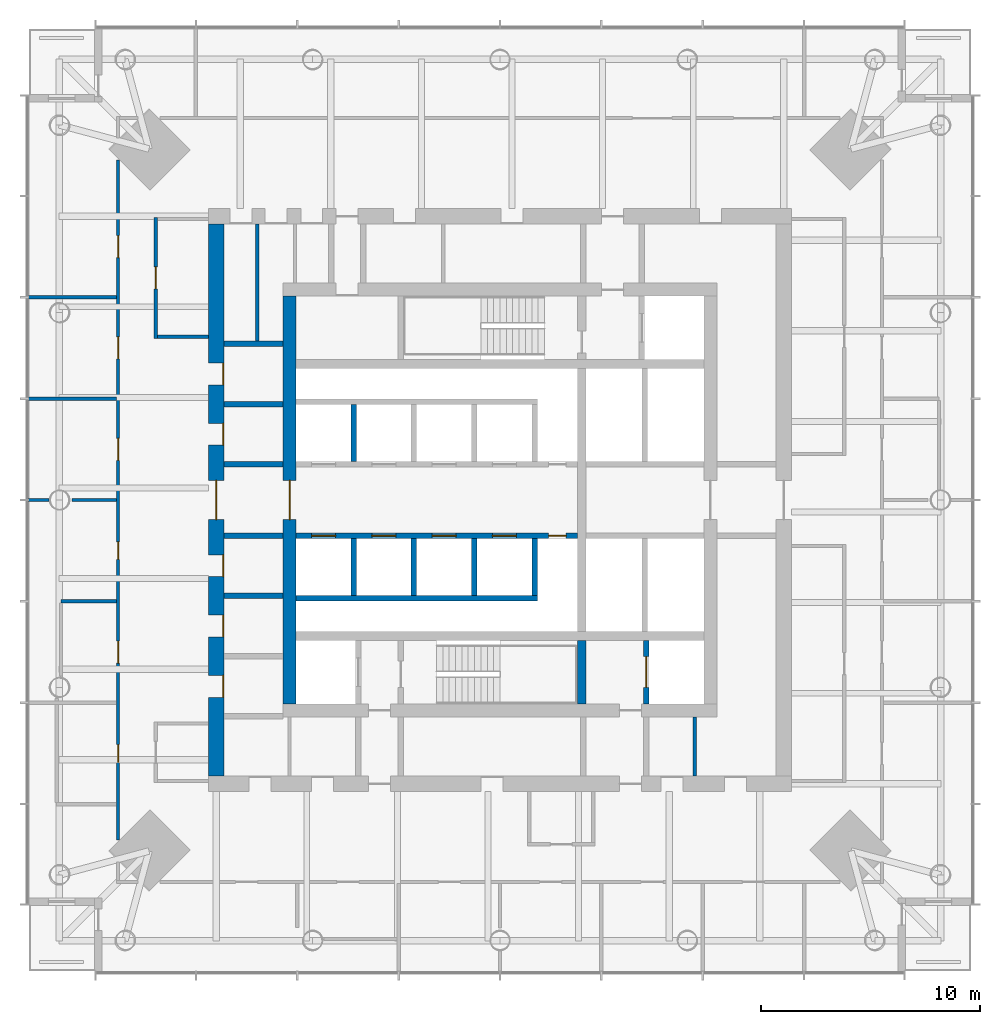
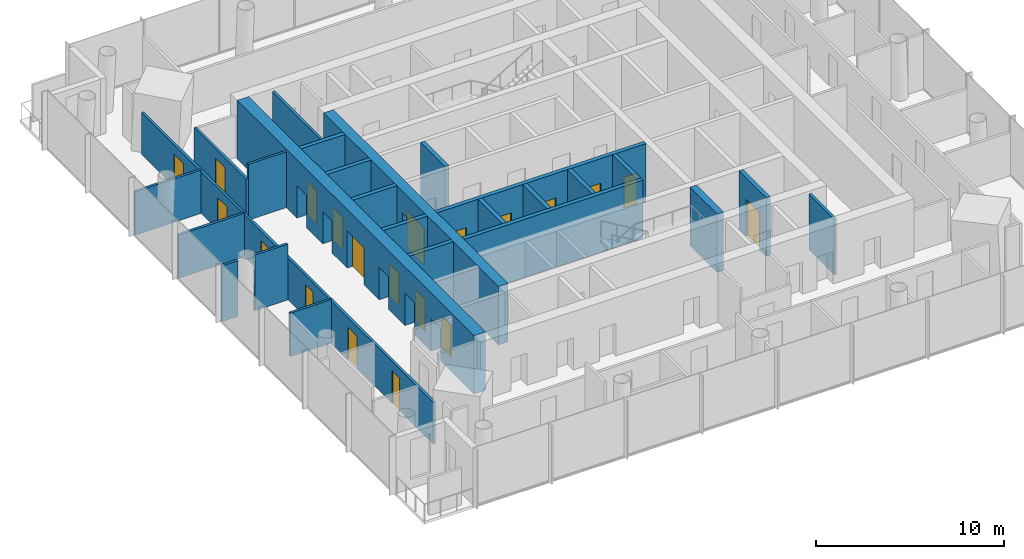
# One storey, part 5 of 9: 26 walls, 20 doors, 20 openings.
"""IFC4 building model written with IfcOpenShell, lengths in metres."""

from ifc_helpers import new_model, si_unit, direction, frame, frame_2d, origin, place, context, subcontext, project, spatial, rectangle, extrude, material, layer, layer_set, type_object, element, fill, save


model = new_model("IFC4")

# Units and contexts
model_context = context("Model", 3, precision=1e-05, world=origin(), true_north=direction((0.0, 1.0)))
body_context = subcontext(model_context, "Body", "Model", "MODEL_VIEW")
ifc_project = project(units=[si_unit("LENGTHUNIT", "METRE"), si_unit("AREAUNIT", "SQUARE_METRE"), si_unit("VOLUMEUNIT", "CUBIC_METRE"), si_unit("PLANEANGLEUNIT", "RADIAN"), si_unit("MASSUNIT", "GRAM", prefix="KILO")], contexts=[model_context])

# Site, building, storey
site_placement = place(None, origin())
site = spatial("IfcSite", under=ifc_project, at=site_placement, CompositionType="ELEMENT")
building_placement = place(site_placement, origin())
building = spatial("IfcBuilding", under=site, at=building_placement, Name="Ostroluk Exchange", CompositionType="ELEMENT")
storey_placement = place(building_placement, frame((0.0, 0.0, 142.60009765625)))
storey = spatial("IfcBuildingStorey", under=building, at=storey_placement, Name="L36", CompositionType="ELEMENT", Elevation=142.60009765625)

# Walls
ifc_material_1 = material(Name="Concrete blockwork", Category="masonry")
ifc_layer_1 = layer(ifc_material_1, 0.14990234375)
ifc_layer_set_1 = layer_set([ifc_layer_1], Name="Blockwork plant room wall 150")
wall_type_1 = type_object("IfcWallType", Name="Blockwork plant room wall 150", PredefinedType="SOLIDWALL", material=ifc_layer_set_1)
wall_1_placement = place(storey_placement, frame((33.927978515625, 53.25, 0.0), z_axis=(0.0, 0.0, 1.0), x_axis=(0.0, 1.0, 0.0)))
element("IfcWall", 1, at=wall_1_placement, inside=storey, type_object=wall_type_1, Name="Core room wall", PredefinedType="SOLIDWALL", context=body_context, shape_type="SweptSolid", body=[
    extrude(rectangle(XDim=5.35009765625, YDim=0.14990234375, at=frame_2d((2.675048828125, 0.0))), origin(), (0.0, 0.0, 1.0), 3.619873046875),
])
wall_2_placement = place(storey_placement, frame((53.887939453125, 33.39990234375, 0.0), z_axis=(0.0, 0.0, 1.0), x_axis=(0.0, 1.0, 0.0)))
element("IfcWall", 2, at=wall_2_placement, inside=storey, type_object=wall_type_1, Name="Core room wall", PredefinedType="SOLIDWALL", context=body_context, shape_type="SweptSolid", body=[
    extrude(rectangle(XDim=2.7001953125, YDim=0.14990234375, at=frame_2d((1.35009765625, 0.0))), origin(), (0.0, 0.0, 1.0), 3.619873046875),
])
ifc_material_2 = material(Name="Concrete C50/60", Category="concrete")
ifc_layer_2 = layer(ifc_material_2, 0.39990234375)
ifc_layer_set_2 = layer_set([ifc_layer_2], Name="Core cross wall 400 C50/60")
wall_type_2 = type_object("IfcWallType", Name="Core cross wall 400 C50/60", PredefinedType="SHEAR", material=ifc_layer_set_2)
wall_3_placement = place(storey_placement, frame((48.72998046875, 36.699951171875, 0.0), z_axis=(0.0, 0.0, 1.0), x_axis=(0.0, 1.0, 0.0)))
element("IfcWall", 3, at=wall_3_placement, inside=storey, type_object=wall_type_2, Name="T1 core wall YE1", PredefinedType="SHEAR", context=body_context, shape_type="SweptSolid", body=[
    extrude(rectangle(XDim=2.900146484375, YDim=0.39990234375, at=frame_2d((1.4501953125, 0.0))), origin(), (0.0, 0.0, 1.0), 3.7998046875),
])

# Wall, opening, door
ifc_material_3 = material(Name="Concrete C40/50", Category="concrete")
ifc_layer_3 = layer(ifc_material_3, 0.25)
ifc_layer_set_3 = layer_set([ifc_layer_3], Name="Core shaft wall 250")
wall_type_3 = type_object("IfcWallType", Name="Core shaft wall 250", PredefinedType="SHEAR", material=ifc_layer_set_3)
wall_4_placement = place(storey_placement, frame((51.675048828125, 36.699951171875, 0.0), z_axis=(0.0, 0.0, 1.0), x_axis=(0.0, 1.0, 0.0)))
wall_4 = element("IfcWall", 4, at=wall_4_placement, inside=storey, type_object=wall_type_3, Name="Service lift shaft wall", PredefinedType="SHEAR", context=body_context, shape_type="SweptSolid", body=[
    extrude(rectangle(XDim=2.900146484375, YDim=0.25, at=frame_2d((1.4501953125, 0.0))), origin(), (0.0, 0.0, 1.0), 3.7998046875),
])
opening_1_placement = place(wall_4_placement, frame((0.75, 0.0, 0.0)))
opening_1 = element("IfcOpeningElement", 5, at=opening_1_placement, cuts=wall_4, Name="Opening LD3", PredefinedType="OPENING", context=body_context, shape_type="SweptSolid", body=[
    extrude(rectangle(XDim=1.39990234375, YDim=2.39990234375, at=frame_2d((0.699951171875, 1.199951171875))), frame((0.0, 0.135009765625, 0.0), z_axis=(0.0, -1.0, 0.0), x_axis=(1.0, 0.0, 0.0)), (0.0, 0.0, 1.0), 0.27001953125),
])
ifc_material_4 = material(Name="Stainless steel", Category="steel")
door_type_1 = type_object("IfcDoorType", Name="Goods lift landing door E 60 1400 x 2400", OperationType="DOUBLE_DOOR_SLIDING", PredefinedType="DOOR", material=ifc_material_4)
door_1_placement = place(opening_1_placement, origin())
door_1 = element("IfcDoor", 6, at=door_1_placement, inside=storey, type_object=door_type_1, Name="Lift SL1 landing door", OperationType="DOUBLE_DOOR_SLIDING", OverallHeight=2.39990234375, OverallWidth=1.39990234375, PredefinedType="DOOR", context=body_context, shape_type="SweptSolid", body=[
    extrude(rectangle(XDim=1.39990234375, YDim=2.39990234375, at=frame_2d((0.699951171875, 1.199951171875))), frame((0.0, 0.02490234375, 0.0), z_axis=(0.0, -1.0, 0.0), x_axis=(1.0, 0.0, 0.0)), (0.0, 0.0, 1.0), 0.050048828125),
])
fill(opening_1, door_1)

# Walls
for number, where, z_axis, x_axis, name in (
    (7, (38.324951171875, 47.75, 0.0), (0.0, 0.0, 1.0), (0.0, 1.0, 0.0), "Lift shaft wall"),
    (8, (38.324951171875, 44.25, 0.0), (0.0, 0.0, 1.0), (0.0, -1.0, 0.0), "Lift shaft wall"),
    (9, (41.074951171875, 44.25, 0.0), (0.0, 0.0, 1.0), (0.0, -1.0, 0.0), "Lift shaft wall"),
    (10, (43.824951171875, 44.25, 0.0), (0.0, 0.0, 1.0), (0.0, -1.0, 0.0), "Lift shaft wall"),
    (11, (46.574951171875, 44.25, 0.0), (0.0, 0.0, 1.0), (0.0, -1.0, 0.0), "Lift shaft wall"),
):
    element("IfcWall", number, at=place(storey_placement, frame(where, z_axis=z_axis, x_axis=x_axis)), inside=storey, type_object=wall_type_3, Name=name, PredefinedType="SHEAR", context=body_context, shape_type="SweptSolid", body=[
        extrude(rectangle(XDim=2.60009765625, YDim=0.25, at=frame_2d((1.300048828125, 0.0))), origin(), (0.0, 0.0, 1.0), 3.7998046875),
    ])
wall_5_placement = place(storey_placement, frame((35.699951171875, 41.52490234375, 0.0), z_axis=(0.0, 0.0, 1.0), x_axis=(1.0, 0.0, 0.0)))
element("IfcWall", 12, at=wall_5_placement, inside=storey, type_object=wall_type_3, Name="Lift shaft wall", PredefinedType="SHEAR", context=body_context, shape_type="SweptSolid", body=[
    extrude(rectangle(XDim=11.0, YDim=0.25, at=frame_2d((5.5, 0.0))), origin(), (0.0, 0.0, 1.0), 3.7998046875),
])

# Wall, openings, doors
wall_6_placement = place(storey_placement, frame((35.699951171875, 44.375, 0.0), z_axis=(0.0, 0.0, 1.0), x_axis=(1.0, 0.0, 0.0)))
wall_6 = element("IfcWall", 13, at=wall_6_placement, inside=storey, type_object=wall_type_3, Name="Lift shaft front wall", PredefinedType="SHEAR", context=body_context, shape_type="SweptSolid", body=[
    extrude(rectangle(XDim=12.830078125, YDim=0.25, at=frame_2d((6.4150390625, 0.0))), origin(), (0.0, 0.0, 1.0), 3.7998046875),
])
opening_2_placement = place(wall_6_placement, frame((0.699951171875, 0.0, 0.0)))
opening_2 = element("IfcOpeningElement", 14, at=opening_2_placement, cuts=wall_6, Name="Opening LD", PredefinedType="OPENING", context=body_context, shape_type="SweptSolid", body=[
    extrude(rectangle(XDim=1.10009765625, YDim=2.199951171875, at=frame_2d((0.550048828125, 1.10009765625))), frame((0.0, 0.135009765625, 0.0), z_axis=(0.0, -1.0, 0.0), x_axis=(1.0, 0.0, 0.0)), (0.0, 0.0, 1.0), 0.27001953125),
])
opening_3_placement = place(wall_6_placement, frame((3.449951171875, 0.0, 0.0)))
opening_3 = element("IfcOpeningElement", 15, at=opening_3_placement, cuts=wall_6, Name="Opening LD", PredefinedType="OPENING", context=body_context, shape_type="SweptSolid", body=[
    extrude(rectangle(XDim=1.10009765625, YDim=2.199951171875, at=frame_2d((0.550048828125, 1.10009765625))), frame((0.0, 0.135009765625, 0.0), z_axis=(0.0, -1.0, 0.0), x_axis=(1.0, 0.0, 0.0)), (0.0, 0.0, 1.0), 0.27001953125),
])
opening_4_placement = place(wall_6_placement, frame((6.199951171875, 0.0, 0.0)))
opening_4 = element("IfcOpeningElement", 16, at=opening_4_placement, cuts=wall_6, Name="Opening LD", PredefinedType="OPENING", context=body_context, shape_type="SweptSolid", body=[
    extrude(rectangle(XDim=1.10009765625, YDim=2.199951171875, at=frame_2d((0.550048828125, 1.10009765625))), frame((0.0, 0.135009765625, 0.0), z_axis=(0.0, -1.0, 0.0), x_axis=(1.0, 0.0, 0.0)), (0.0, 0.0, 1.0), 0.27001953125),
])
opening_5_placement = place(wall_6_placement, frame((8.949951171875, 0.0, 0.0)))
opening_5 = element("IfcOpeningElement", 17, at=opening_5_placement, cuts=wall_6, Name="Opening LD", PredefinedType="OPENING", context=body_context, shape_type="SweptSolid", body=[
    extrude(rectangle(XDim=1.10009765625, YDim=2.199951171875, at=frame_2d((0.550048828125, 1.10009765625))), frame((0.0, 0.135009765625, 0.0), z_axis=(0.0, -1.0, 0.0), x_axis=(1.0, 0.0, 0.0)), (0.0, 0.0, 1.0), 0.27001953125),
])
opening_6_placement = place(wall_6_placement, frame((11.514892578125, 0.0, 0.0)))
opening_6 = element("IfcOpeningElement", 18, at=opening_6_placement, cuts=wall_6, Name="Opening RD60", PredefinedType="OPENING", context=body_context, shape_type="SweptSolid", body=[
    extrude(rectangle(XDim=0.800048828125, YDim=2.0, at=frame_2d((0.39990234375, 1.0))), frame((0.0, 0.135009765625, 0.0), z_axis=(0.0, -1.0, 0.0), x_axis=(1.0, 0.0, 0.0)), (0.0, 0.0, 1.0), 0.27001953125),
])
ifc_material_5 = material(Name="Stainless steel", Category="steel")
door_type_2 = type_object("IfcDoorType", Name="Lift landing door E 60 1100 x 2200", OperationType="DOUBLE_DOOR_SLIDING", PredefinedType="DOOR", material=ifc_material_5)
door_2_placement = place(opening_2_placement, origin())
door_2 = element("IfcDoor", 19, at=door_2_placement, inside=storey, type_object=door_type_2, Name="Lift PL-M5 landing door", OperationType="DOUBLE_DOOR_SLIDING", OverallHeight=2.199951171875, OverallWidth=1.10009765625, PredefinedType="DOOR", context=body_context, shape_type="SweptSolid", body=[
    extrude(rectangle(XDim=1.10009765625, YDim=2.199951171875, at=frame_2d((0.550048828125, 1.10009765625))), frame((0.0, 0.02490234375, 0.0), z_axis=(0.0, -1.0, 0.0), x_axis=(1.0, 0.0, 0.0)), (0.0, 0.0, 1.0), 0.050048828125),
])
fill(opening_2, door_2)
door_3_placement = place(opening_3_placement, origin())
door_3 = element("IfcDoor", 20, at=door_3_placement, inside=storey, type_object=door_type_2, Name="Lift PL-M6 landing door", OperationType="DOUBLE_DOOR_SLIDING", OverallHeight=2.199951171875, OverallWidth=1.10009765625, PredefinedType="DOOR", context=body_context, shape_type="SweptSolid", body=[
    extrude(rectangle(XDim=1.10009765625, YDim=2.199951171875, at=frame_2d((0.550048828125, 1.10009765625))), frame((0.0, 0.02490234375, 0.0), z_axis=(0.0, -1.0, 0.0), x_axis=(1.0, 0.0, 0.0)), (0.0, 0.0, 1.0), 0.050048828125),
])
fill(opening_3, door_3)
door_4_placement = place(opening_4_placement, origin())
door_4 = element("IfcDoor", 21, at=door_4_placement, inside=storey, type_object=door_type_2, Name="Lift PL-M7 landing door", OperationType="DOUBLE_DOOR_SLIDING", OverallHeight=2.199951171875, OverallWidth=1.10009765625, PredefinedType="DOOR", context=body_context, shape_type="SweptSolid", body=[
    extrude(rectangle(XDim=1.10009765625, YDim=2.199951171875, at=frame_2d((0.550048828125, 1.10009765625))), frame((0.0, 0.02490234375, 0.0), z_axis=(0.0, -1.0, 0.0), x_axis=(1.0, 0.0, 0.0)), (0.0, 0.0, 1.0), 0.050048828125),
])
fill(opening_4, door_4)
door_5_placement = place(opening_5_placement, origin())
door_5 = element("IfcDoor", 22, at=door_5_placement, inside=storey, type_object=door_type_2, Name="Lift PL-M8 landing door", OperationType="DOUBLE_DOOR_SLIDING", OverallHeight=2.199951171875, OverallWidth=1.10009765625, PredefinedType="DOOR", context=body_context, shape_type="SweptSolid", body=[
    extrude(rectangle(XDim=1.10009765625, YDim=2.199951171875, at=frame_2d((0.550048828125, 1.10009765625))), frame((0.0, 0.02490234375, 0.0), z_axis=(0.0, -1.0, 0.0), x_axis=(1.0, 0.0, 0.0)), (0.0, 0.0, 1.0), 0.050048828125),
])
fill(opening_5, door_5)
ifc_material_6 = material(Name="Steel", Category="steel")
door_type_3 = type_object("IfcDoorType", Name="Riser access door EI 60 800 x 2000", OperationType="SINGLE_SWING_LEFT", PredefinedType="DOOR", material=ifc_material_6)
door_6_placement = place(opening_6_placement, origin())
door_6 = element("IfcDoor", 23, at=door_6_placement, inside=storey, type_object=door_type_3, Name="Riser access door", OperationType="SINGLE_SWING_RIGHT", OverallHeight=2.0, OverallWidth=0.800048828125, PredefinedType="DOOR", context=body_context, shape_type="SweptSolid", body=[
    extrude(rectangle(XDim=0.800048828125, YDim=2.0, at=frame_2d((0.39990234375, 1.0))), frame((0.0, 0.02490234375, 0.0), z_axis=(0.0, -1.0, 0.0), x_axis=(1.0, 0.0, 0.0)), (0.0, 0.0, 1.0), 0.050048828125),
])
fill(opening_6, door_6)

# Walls
for number, where, z_axis, x_axis, name in (
    (24, (32.39990234375, 41.625, 0.0), (0.0, 0.0, 1.0), (1.0, 0.0, 0.0), "Lift shaft wall"),
    (25, (32.39990234375, 44.375, 0.0), (0.0, 0.0, 1.0), (1.0, 0.0, 0.0), "Lift shaft wall"),
    (26, (32.39990234375, 47.625, 0.0), (0.0, 0.0, 1.0), (1.0, 0.0, 0.0), "Lift shaft wall"),
    (27, (32.39990234375, 50.375, 0.0), (0.0, 0.0, 1.0), (1.0, 0.0, 0.0), "Lift shaft wall"),
    (28, (32.39990234375, 53.125, 0.0), (0.0, 0.0, 1.0), (1.0, 0.0, 0.0), "Lift shaft wall"),
):
    element("IfcWall", number, at=place(storey_placement, frame(where, z_axis=z_axis, x_axis=x_axis)), inside=storey, type_object=wall_type_3, Name=name, PredefinedType="SHEAR", context=body_context, shape_type="SweptSolid", body=[
        extrude(rectangle(XDim=2.7001953125, YDim=0.25, at=frame_2d((1.35009765625, 0.0))), origin(), (0.0, 0.0, 1.0), 3.7998046875),
    ])

# Wall, opening, door
ifc_material_7 = material(Name="Concrete C50/60", Category="concrete")
ifc_layer_4 = layer(ifc_material_7, 0.60009765625)
ifc_layer_set_4 = layer_set([ifc_layer_4], Name="Core wall 600 C50/60")
wall_type_4 = type_object("IfcWallType", Name="Core wall 600 C50/60", PredefinedType="SHEAR", material=ifc_layer_set_4)
wall_7_placement = place(storey_placement, frame((35.39990234375, 36.699951171875, 0.0), z_axis=(0.0, 0.0, 1.0), x_axis=(0.0, 1.0, 0.0)))
wall_7 = element("IfcWall", 29, at=wall_7_placement, inside=storey, type_object=wall_type_4, Name="T1 core wall W", PredefinedType="SHEAR", context=body_context, shape_type="SweptSolid", body=[
    extrude(rectangle(XDim=18.60009765625, YDim=0.60009765625, at=frame_2d((9.300048828125, 0.0))), origin(), (0.0, 0.0, 1.0), 3.7998046875),
])
opening_7_placement = place(wall_7_placement, frame((8.39990234375, 0.0, 0.0)))
opening_7 = element("IfcOpeningElement", 30, at=opening_7_placement, cuts=wall_7, Name="Opening FD30D", PredefinedType="OPENING", context=body_context, shape_type="SweptSolid", body=[
    extrude(rectangle(XDim=1.800048828125, YDim=2.39990234375, at=frame_2d((0.89990234375, 1.199951171875))), frame((0.0, 0.31005859375, 0.0), z_axis=(0.0, -1.0, 0.0), x_axis=(1.0, 0.0, 0.0)), (0.0, 0.0, 1.0), 0.6201171875),
])
ifc_material_8 = material(Name="Timber", Category="wood")
door_type_4 = type_object("IfcDoorType", Name="Lobby double door EI 30 1800 x 2400", OperationType="DOUBLE_DOOR_SINGLE_SWING", PredefinedType="DOOR", material=ifc_material_8)
door_7_placement = place(opening_7_placement, origin())
door_7 = element("IfcDoor", 31, at=door_7_placement, inside=storey, type_object=door_type_4, Name="Lift lobby doors", OperationType="DOUBLE_DOOR_SINGLE_SWING", OverallHeight=2.39990234375, OverallWidth=1.800048828125, PredefinedType="DOOR", context=body_context, shape_type="SweptSolid", body=[
    extrude(rectangle(XDim=1.800048828125, YDim=2.39990234375, at=frame_2d((0.89990234375, 1.199951171875))), frame((0.0, 0.02490234375, 0.0), z_axis=(0.0, -1.0, 0.0), x_axis=(1.0, 0.0, 0.0)), (0.0, 0.0, 1.0), 0.050048828125),
])
fill(opening_7, door_7)

# Wall, openings, doors
ifc_material_9 = material(Name="Concrete C50/60", Category="concrete")
ifc_layer_5 = layer(ifc_material_9, 0.699951171875)
ifc_layer_set_5 = layer_set([ifc_layer_5], Name="Core wall 700 C50/60")
wall_type_5 = type_object("IfcWallType", Name="Core wall 700 C50/60", PredefinedType="SHEAR", material=ifc_layer_set_5)
wall_8_placement = place(storey_placement, frame((32.050048828125, 33.39990234375, 0.0), z_axis=(0.0, 0.0, 1.0), x_axis=(0.0, 1.0, 0.0)))
wall_8 = element("IfcWall", 32, at=wall_8_placement, inside=storey, type_object=wall_type_5, Name="T1 core wall RW", PredefinedType="SHEAR", context=body_context, shape_type="SweptSolid", body=[
    extrude(rectangle(XDim=25.2001953125, YDim=0.699951171875, at=frame_2d((12.60009765625, 0.0))), origin(), (0.0, 0.0, 1.0), 3.7998046875),
])
opening_8_placement = place(wall_8_placement, frame((11.699951171875, 0.0, 0.0)))
opening_8 = element("IfcOpeningElement", 33, at=opening_8_placement, cuts=wall_8, Name="Opening FD30D", PredefinedType="OPENING", context=body_context, shape_type="SweptSolid", body=[
    extrude(rectangle(XDim=1.800048828125, YDim=2.39990234375, at=frame_2d((0.89990234375, 1.199951171875))), frame((0.0, 0.35986328125, 0.0), z_axis=(0.0, -1.0, 0.0), x_axis=(1.0, 0.0, 0.0)), (0.0, 0.0, 1.0), 0.719970703125),
])
opening_9_placement = place(wall_8_placement, frame((3.60009765625, 0.0, 0.0)))
opening_9 = element("IfcOpeningElement", 34, at=opening_9_placement, cuts=wall_8, Name="Opening FD60", PredefinedType="OPENING", context=body_context, shape_type="SweptSolid", body=[
    extrude(rectangle(XDim=1.0, YDim=2.10009765625, at=frame_2d((0.5, 1.050048828125))), frame((0.0, 0.35986328125, 0.0), z_axis=(0.0, -1.0, 0.0), x_axis=(1.0, 0.0, 0.0)), (0.0, 0.0, 1.0), 0.719970703125),
])
opening_10_placement = place(wall_8_placement, frame((6.35009765625, 0.0, 0.0)))
opening_10 = element("IfcOpeningElement", 35, at=opening_10_placement, cuts=wall_8, Name="Opening FD60", PredefinedType="OPENING", context=body_context, shape_type="SweptSolid", body=[
    extrude(rectangle(XDim=1.0, YDim=2.10009765625, at=frame_2d((0.5, 1.050048828125))), frame((0.0, 0.35986328125, 0.0), z_axis=(0.0, -1.0, 0.0), x_axis=(1.0, 0.0, 0.0)), (0.0, 0.0, 1.0), 0.719970703125),
])
opening_11_placement = place(wall_8_placement, frame((9.10009765625, 0.0, 0.0)))
opening_11 = element("IfcOpeningElement", 36, at=opening_11_placement, cuts=wall_8, Name="Opening FD60", PredefinedType="OPENING", context=body_context, shape_type="SweptSolid", body=[
    extrude(rectangle(XDim=1.0, YDim=2.10009765625, at=frame_2d((0.5, 1.050048828125))), frame((0.0, 0.35986328125, 0.0), z_axis=(0.0, -1.0, 0.0), x_axis=(1.0, 0.0, 0.0)), (0.0, 0.0, 1.0), 0.719970703125),
])
opening_12_placement = place(wall_8_placement, frame((15.10009765625, 0.0, 0.0)))
opening_12 = element("IfcOpeningElement", 37, at=opening_12_placement, cuts=wall_8, Name="Opening FD60", PredefinedType="OPENING", context=body_context, shape_type="SweptSolid", body=[
    extrude(rectangle(XDim=1.0, YDim=2.10009765625, at=frame_2d((0.5, 1.050048828125))), frame((0.0, 0.35986328125, 0.0), z_axis=(0.0, -1.0, 0.0), x_axis=(1.0, 0.0, 0.0)), (0.0, 0.0, 1.0), 0.719970703125),
])
opening_13_placement = place(wall_8_placement, frame((17.85009765625, 0.0, 0.0)))
opening_13 = element("IfcOpeningElement", 38, at=opening_13_placement, cuts=wall_8, Name="Opening FD60", PredefinedType="OPENING", context=body_context, shape_type="SweptSolid", body=[
    extrude(rectangle(XDim=1.0, YDim=2.10009765625, at=frame_2d((0.5, 1.050048828125))), frame((0.0, 0.35986328125, 0.0), z_axis=(0.0, -1.0, 0.0), x_axis=(1.0, 0.0, 0.0)), (0.0, 0.0, 1.0), 0.719970703125),
])
ifc_material_10 = material(Name="Steel", Category="steel")
door_type_5 = type_object("IfcDoorType", Name="Fire door EI 60 1000 x 2100", OperationType="SINGLE_SWING_LEFT", PredefinedType="DOOR", material=ifc_material_10)
door_8_placement = place(opening_9_placement, origin())
door_8 = element("IfcDoor", 39, at=door_8_placement, inside=storey, type_object=door_type_5, Name="Tenant IT room door", OperationType="SINGLE_SWING_LEFT", OverallHeight=2.10009765625, OverallWidth=1.0, PredefinedType="DOOR", context=body_context, shape_type="SweptSolid", body=[
    extrude(rectangle(XDim=1.0, YDim=2.10009765625, at=frame_2d((0.5, 1.050048828125))), frame((0.0, -0.2900390625, 0.0), z_axis=(0.0, -1.0, 0.0), x_axis=(1.0, 0.0, 0.0)), (0.0, 0.0, 1.0), 0.050048828125),
])
fill(opening_9, door_8)
door_9_placement = place(opening_10_placement, origin())
door_9 = element("IfcDoor", 40, at=door_9_placement, inside=storey, type_object=door_type_5, Name="Store door", OperationType="SINGLE_SWING_LEFT", OverallHeight=2.10009765625, OverallWidth=1.0, PredefinedType="DOOR", context=body_context, shape_type="SweptSolid", body=[
    extrude(rectangle(XDim=1.0, YDim=2.10009765625, at=frame_2d((0.5, 1.050048828125))), frame((0.0, -0.2900390625, 0.0), z_axis=(0.0, -1.0, 0.0), x_axis=(1.0, 0.0, 0.0)), (0.0, 0.0, 1.0), 0.050048828125),
])
fill(opening_10, door_9)
door_10_placement = place(opening_11_placement, origin())
door_10 = element("IfcDoor", 41, at=door_10_placement, inside=storey, type_object=door_type_5, Name="Tenant IT room door", OperationType="SINGLE_SWING_LEFT", OverallHeight=2.10009765625, OverallWidth=1.0, PredefinedType="DOOR", context=body_context, shape_type="SweptSolid", body=[
    extrude(rectangle(XDim=1.0, YDim=2.10009765625, at=frame_2d((0.5, 1.050048828125))), frame((0.0, -0.2900390625, 0.0), z_axis=(0.0, -1.0, 0.0), x_axis=(1.0, 0.0, 0.0)), (0.0, 0.0, 1.0), 0.050048828125),
])
fill(opening_11, door_10)
door_11_placement = place(opening_12_placement, origin())
door_11 = element("IfcDoor", 42, at=door_11_placement, inside=storey, type_object=door_type_5, Name="Store door", OperationType="SINGLE_SWING_RIGHT", OverallHeight=2.10009765625, OverallWidth=1.0, PredefinedType="DOOR", context=body_context, shape_type="SweptSolid", body=[
    extrude(rectangle(XDim=1.0, YDim=2.10009765625, at=frame_2d((0.5, 1.050048828125))), frame((0.0, -0.2900390625, 0.0), z_axis=(0.0, -1.0, 0.0), x_axis=(1.0, 0.0, 0.0)), (0.0, 0.0, 1.0), 0.050048828125),
])
fill(opening_12, door_11)
door_12_placement = place(opening_13_placement, origin())
door_12 = element("IfcDoor", 43, at=door_12_placement, inside=storey, type_object=door_type_5, Name="Tenant IT room door", OperationType="SINGLE_SWING_RIGHT", OverallHeight=2.10009765625, OverallWidth=1.0, PredefinedType="DOOR", context=body_context, shape_type="SweptSolid", body=[
    extrude(rectangle(XDim=1.0, YDim=2.10009765625, at=frame_2d((0.5, 1.050048828125))), frame((0.0, -0.2900390625, 0.0), z_axis=(0.0, -1.0, 0.0), x_axis=(1.0, 0.0, 0.0)), (0.0, 0.0, 1.0), 0.050048828125),
])
fill(opening_13, door_12)
door_13_placement = place(opening_8_placement, origin())
door_13 = element("IfcDoor", 44, at=door_13_placement, inside=storey, type_object=door_type_4, Name="Lift lobby doors", OperationType="DOUBLE_DOOR_SINGLE_SWING", OverallHeight=2.39990234375, OverallWidth=1.800048828125, PredefinedType="DOOR", context=body_context, shape_type="SweptSolid", body=[
    extrude(rectangle(XDim=1.800048828125, YDim=2.39990234375, at=frame_2d((0.89990234375, 1.199951171875))), frame((0.0, 0.02490234375, 0.0), z_axis=(0.0, -1.0, 0.0), x_axis=(1.0, 0.0, 0.0)), (0.0, 0.0, 1.0), 0.050048828125),
])
fill(opening_8, door_13)

# Wall, opening, door
ifc_material_11 = material(Name="Gypsum plasterboard partition", Category="gypsum")
ifc_layer_6 = layer(ifc_material_11, 0.14990234375)
ifc_layer_set_6 = layer_set([ifc_layer_6], Name="Plasterboard partition 150")
wall_type_6 = type_object("IfcWallType", Name="Plasterboard partition 150", PredefinedType="PARTITIONING", material=ifc_layer_set_6)
wall_9_placement = place(storey_placement, frame((29.300048828125, 58.89990234375, 0.0), z_axis=(0.0, 0.0, 1.0), x_axis=(0.0, -1.0, 0.0)))
wall_9 = element("IfcWall", 45, at=wall_9_placement, inside=storey, type_object=wall_type_6, Name="Partition", PredefinedType="PARTITIONING", context=body_context, shape_type="SweptSolid", body=[
    extrude(rectangle(XDim=5.52490234375, YDim=0.14990234375, at=frame_2d((2.762451171875, 0.0))), origin(), (0.0, 0.0, 1.0), 2.719970703125),
])
opening_14_placement = place(wall_9_placement, frame((2.262451171875, 0.0, 0.0)))
opening_14 = element("IfcOpeningElement", 46, at=opening_14_placement, cuts=wall_9, Name="Opening D-03", PredefinedType="OPENING", context=body_context, shape_type="SweptSolid", body=[
    extrude(rectangle(XDim=1.0, YDim=2.10009765625, at=frame_2d((0.5, 1.050048828125))), frame((0.0, 0.0849609375, 0.0), z_axis=(0.0, -1.0, 0.0), x_axis=(1.0, 0.0, 0.0)), (0.0, 0.0, 1.0), 0.169921875),
])
ifc_material_12 = material(Name="Timber", Category="wood")
door_type_6 = type_object("IfcDoorType", Name="Internal door 1000 x 2100", OperationType="SINGLE_SWING_LEFT", PredefinedType="DOOR", material=ifc_material_12)
door_14_placement = place(opening_14_placement, origin())
door_14 = element("IfcDoor", 47, at=door_14_placement, inside=storey, type_object=door_type_6, Name="Staff room door", OperationType="SINGLE_SWING_RIGHT", OverallHeight=2.10009765625, OverallWidth=1.0, PredefinedType="DOOR", context=body_context, shape_type="SweptSolid", body=[
    extrude(rectangle(XDim=1.0, YDim=2.10009765625, at=frame_2d((0.5, 1.050048828125))), frame((0.0, 0.02490234375, 0.0), z_axis=(0.0, -1.0, 0.0), x_axis=(1.0, 0.0, 0.0)), (0.0, 0.0, 1.0), 0.050048828125),
])
fill(opening_14, door_14)

# Wall
wall_10_placement = place(storey_placement, frame((31.699951171875, 53.449951171875, 0.0), z_axis=(0.0, 0.0, 1.0), x_axis=(-1.0, 0.0, 0.0)))
element("IfcWall", 48, at=wall_10_placement, inside=storey, type_object=wall_type_6, Name="Partition", PredefinedType="PARTITIONING", context=body_context, shape_type="SweptSolid", body=[
    extrude(rectangle(XDim=2.324951171875, YDim=0.14990234375, at=frame_2d((1.16259765625, 0.0))), origin(), (0.0, 0.0, 1.0), 3.619873046875),
])

# Wall, openings, doors
wall_11_placement = place(storey_placement, frame((27.574951171875, 61.511474609375, 0.0), z_axis=(0.0, 0.0, 1.0), x_axis=(0.0, -1.0, 0.0)))
wall_11 = element("IfcWall", 49, at=wall_11_placement, inside=storey, type_object=wall_type_6, Name="Partition", PredefinedType="PARTITIONING", context=body_context, shape_type="SweptSolid", body=[
    extrude(rectangle(XDim=31.02294921875, YDim=0.14990234375, at=frame_2d((15.511474609375, 0.0))), origin(), (0.0, 0.0, 1.0), 2.719970703125),
])
opening_15_placement = place(wall_11_placement, frame((3.448974609375, 0.0, 0.0)))
opening_15 = element("IfcOpeningElement", 50, at=opening_15_placement, cuts=wall_11, Name="Opening D-03", PredefinedType="OPENING", context=body_context, shape_type="SweptSolid", body=[
    extrude(rectangle(XDim=1.0, YDim=2.10009765625, at=frame_2d((0.5, 1.050048828125))), frame((0.0, 0.0849609375, 0.0), z_axis=(0.0, -1.0, 0.0), x_axis=(1.0, 0.0, 0.0)), (0.0, 0.0, 1.0), 0.169921875),
])
opening_16_placement = place(wall_11_placement, frame((8.073974609375, 0.0, 0.0)))
opening_16 = element("IfcOpeningElement", 51, at=opening_16_placement, cuts=wall_11, Name="Opening D-03", PredefinedType="OPENING", context=body_context, shape_type="SweptSolid", body=[
    extrude(rectangle(XDim=1.0, YDim=2.10009765625, at=frame_2d((0.5, 1.050048828125))), frame((0.0, 0.0849609375, 0.0), z_axis=(0.0, -1.0, 0.0), x_axis=(1.0, 0.0, 0.0)), (0.0, 0.0, 1.0), 0.169921875),
])
opening_17_placement = place(wall_11_placement, frame((12.698974609375, 0.0, 0.0)))
opening_17 = element("IfcOpeningElement", 52, at=opening_17_placement, cuts=wall_11, Name="Opening D-03", PredefinedType="OPENING", context=body_context, shape_type="SweptSolid", body=[
    extrude(rectangle(XDim=1.0, YDim=2.10009765625, at=frame_2d((0.5, 1.050048828125))), frame((0.0, 0.0849609375, 0.0), z_axis=(0.0, -1.0, 0.0), x_axis=(1.0, 0.0, 0.0)), (0.0, 0.0, 1.0), 0.169921875),
])
opening_18_placement = place(wall_11_placement, frame((17.424072265625, 0.0, 0.0)))
opening_18 = element("IfcOpeningElement", 53, at=opening_18_placement, cuts=wall_11, Name="Opening D-06", PredefinedType="OPENING", context=body_context, shape_type="SweptSolid", body=[
    extrude(rectangle(XDim=0.800048828125, YDim=2.10009765625, at=frame_2d((0.39990234375, 1.050048828125))), frame((0.0, 0.0849609375, 0.0), z_axis=(0.0, -1.0, 0.0), x_axis=(1.0, 0.0, 0.0)), (0.0, 0.0, 1.0), 0.169921875),
])
opening_19_placement = place(wall_11_placement, frame((21.948974609375, 0.0, 0.0)))
opening_19 = element("IfcOpeningElement", 54, at=opening_19_placement, cuts=wall_11, Name="Opening D-03", PredefinedType="OPENING", context=body_context, shape_type="SweptSolid", body=[
    extrude(rectangle(XDim=1.0, YDim=2.10009765625, at=frame_2d((0.5, 1.050048828125))), frame((0.0, 0.0849609375, 0.0), z_axis=(0.0, -1.0, 0.0), x_axis=(1.0, 0.0, 0.0)), (0.0, 0.0, 1.0), 0.169921875),
])
opening_20_placement = place(wall_11_placement, frame((26.674072265625, 0.0, 0.0)))
opening_20 = element("IfcOpeningElement", 55, at=opening_20_placement, cuts=wall_11, Name="Opening D-06", PredefinedType="OPENING", context=body_context, shape_type="SweptSolid", body=[
    extrude(rectangle(XDim=0.800048828125, YDim=2.10009765625, at=frame_2d((0.39990234375, 1.050048828125))), frame((0.0, 0.0849609375, 0.0), z_axis=(0.0, -1.0, 0.0), x_axis=(1.0, 0.0, 0.0)), (0.0, 0.0, 1.0), 0.169921875),
])
door_15_placement = place(opening_15_placement, origin())
door_15 = element("IfcDoor", 56, at=door_15_placement, inside=storey, type_object=door_type_6, Name="Office suite door", OperationType="SINGLE_SWING_LEFT", OverallHeight=2.10009765625, OverallWidth=1.0, PredefinedType="DOOR", context=body_context, shape_type="SweptSolid", body=[
    extrude(rectangle(XDim=1.0, YDim=2.10009765625, at=frame_2d((0.5, 1.050048828125))), frame((0.0, 0.02490234375, 0.0), z_axis=(0.0, -1.0, 0.0), x_axis=(1.0, 0.0, 0.0)), (0.0, 0.0, 1.0), 0.050048828125),
])
fill(opening_15, door_15)
door_16_placement = place(opening_16_placement, origin())
door_16 = element("IfcDoor", 57, at=door_16_placement, inside=storey, type_object=door_type_6, Name="Meeting room door", OperationType="SINGLE_SWING_LEFT", OverallHeight=2.10009765625, OverallWidth=1.0, PredefinedType="DOOR", context=body_context, shape_type="SweptSolid", body=[
    extrude(rectangle(XDim=1.0, YDim=2.10009765625, at=frame_2d((0.5, 1.050048828125))), frame((0.0, 0.02490234375, 0.0), z_axis=(0.0, -1.0, 0.0), x_axis=(1.0, 0.0, 0.0)), (0.0, 0.0, 1.0), 0.050048828125),
])
fill(opening_16, door_16)
door_17_placement = place(opening_17_placement, origin())
door_17 = element("IfcDoor", 58, at=door_17_placement, inside=storey, type_object=door_type_6, Name="Pantry door", OperationType="SINGLE_SWING_LEFT", OverallHeight=2.10009765625, OverallWidth=1.0, PredefinedType="DOOR", context=body_context, shape_type="SweptSolid", body=[
    extrude(rectangle(XDim=1.0, YDim=2.10009765625, at=frame_2d((0.5, 1.050048828125))), frame((0.0, 0.02490234375, 0.0), z_axis=(0.0, -1.0, 0.0), x_axis=(1.0, 0.0, 0.0)), (0.0, 0.0, 1.0), 0.050048828125),
])
fill(opening_17, door_17)
door_18_placement = place(opening_19_placement, origin())
door_18 = element("IfcDoor", 59, at=door_18_placement, inside=storey, type_object=door_type_6, Name="Accessible WC door", OperationType="SINGLE_SWING_RIGHT", OverallHeight=2.10009765625, OverallWidth=1.0, PredefinedType="DOOR", context=body_context, shape_type="SweptSolid", body=[
    extrude(rectangle(XDim=1.0, YDim=2.10009765625, at=frame_2d((0.5, 1.050048828125))), frame((0.0, 0.02490234375, 0.0), z_axis=(0.0, -1.0, 0.0), x_axis=(1.0, 0.0, 0.0)), (0.0, 0.0, 1.0), 0.050048828125),
])
fill(opening_19, door_18)
ifc_material_13 = material(Name="Timber", Category="wood")
door_type_7 = type_object("IfcDoorType", Name="Toilet door 800 x 2100", OperationType="SINGLE_SWING_LEFT", PredefinedType="DOOR", material=ifc_material_13)
door_19_placement = place(opening_18_placement, origin())
door_19 = element("IfcDoor", 60, at=door_19_placement, inside=storey, type_object=door_type_7, Name="WC female door", OperationType="SINGLE_SWING_RIGHT", OverallHeight=2.10009765625, OverallWidth=0.800048828125, PredefinedType="DOOR", context=body_context, shape_type="SweptSolid", body=[
    extrude(rectangle(XDim=0.800048828125, YDim=2.10009765625, at=frame_2d((0.39990234375, 1.050048828125))), frame((0.0, 0.02490234375, 0.0), z_axis=(0.0, -1.0, 0.0), x_axis=(1.0, 0.0, 0.0)), (0.0, 0.0, 1.0), 0.050048828125),
])
fill(opening_18, door_19)
door_20_placement = place(opening_20_placement, origin())
door_20 = element("IfcDoor", 61, at=door_20_placement, inside=storey, type_object=door_type_7, Name="WC male door", OperationType="SINGLE_SWING_RIGHT", OverallHeight=2.10009765625, OverallWidth=0.800048828125, PredefinedType="DOOR", context=body_context, shape_type="SweptSolid", body=[
    extrude(rectangle(XDim=0.800048828125, YDim=2.10009765625, at=frame_2d((0.39990234375, 1.050048828125))), frame((0.0, 0.02490234375, 0.0), z_axis=(0.0, -1.0, 0.0), x_axis=(1.0, 0.0, 0.0)), (0.0, 0.0, 1.0), 0.050048828125),
])
fill(opening_20, door_20)

# Walls
for number, where, z_axis, x_axis, name in (
    (62, (27.5, 55.25, 0.0), (0.0, 0.0, 1.0), (-1.0, 0.0, 0.0), "Partition"),
    (63, (27.5, 50.625, 0.0), (0.0, 0.0, 1.0), (-1.0, 0.0, 0.0), "Partition"),
):
    element("IfcWall", number, at=place(storey_placement, frame(where, z_axis=z_axis, x_axis=x_axis)), inside=storey, type_object=wall_type_6, Name=name, PredefinedType="PARTITIONING", context=body_context, shape_type="SweptSolid", body=[
        extrude(rectangle(XDim=4.0400390625, YDim=0.14990234375, at=frame_2d((2.02001953125, 0.0))), origin(), (0.0, 0.0, 1.0), 2.81982421875),
    ])
wall_12_placement = place(storey_placement, frame((27.5, 46.0, 0.0), z_axis=(0.0, 0.0, 1.0), x_axis=(-1.0, 0.0, 0.0)))
element("IfcWall", 64, at=wall_12_placement, inside=storey, type_object=wall_type_6, Name="Partition", PredefinedType="PARTITIONING", context=body_context, shape_type="SweptSolid", body=[
    extrude(rectangle(XDim=2.035888671875, YDim=0.14990234375, at=frame_2d((1.01806640625, 0.0))), origin(), (0.0, 0.0, 1.0), 3.619873046875),
])
wall_13_placement = place(storey_placement, frame((24.4287109375, 46.0, 0.0), z_axis=(0.0, 0.0, 1.0), x_axis=(-1.0, 0.0, 0.0)))
element("IfcWall", 65, at=wall_13_placement, inside=storey, type_object=wall_type_6, Name="Partition", PredefinedType="PARTITIONING", context=body_context, shape_type="SweptSolid", body=[
    extrude(rectangle(XDim=0.96875, YDim=0.14990234375, at=frame_2d((0.484375, 0.0))), origin(), (0.0, 0.0, 1.0), 3.619873046875),
])
wall_14_placement = place(storey_placement, frame((27.5, 41.375, 0.0), z_axis=(0.0, 0.0, 1.0), x_axis=(-1.0, 0.0, 0.0)))
element("IfcWall", 66, at=wall_14_placement, inside=storey, type_object=wall_type_6, Name="Partition", PredefinedType="PARTITIONING", context=body_context, shape_type="SweptSolid", body=[
    extrude(rectangle(XDim=2.52490234375, YDim=0.14990234375, at=frame_2d((1.262451171875, 0.0))), origin(), (0.0, 0.0, 1.0), 2.81982421875),
])

save(model, "model.ifc")
